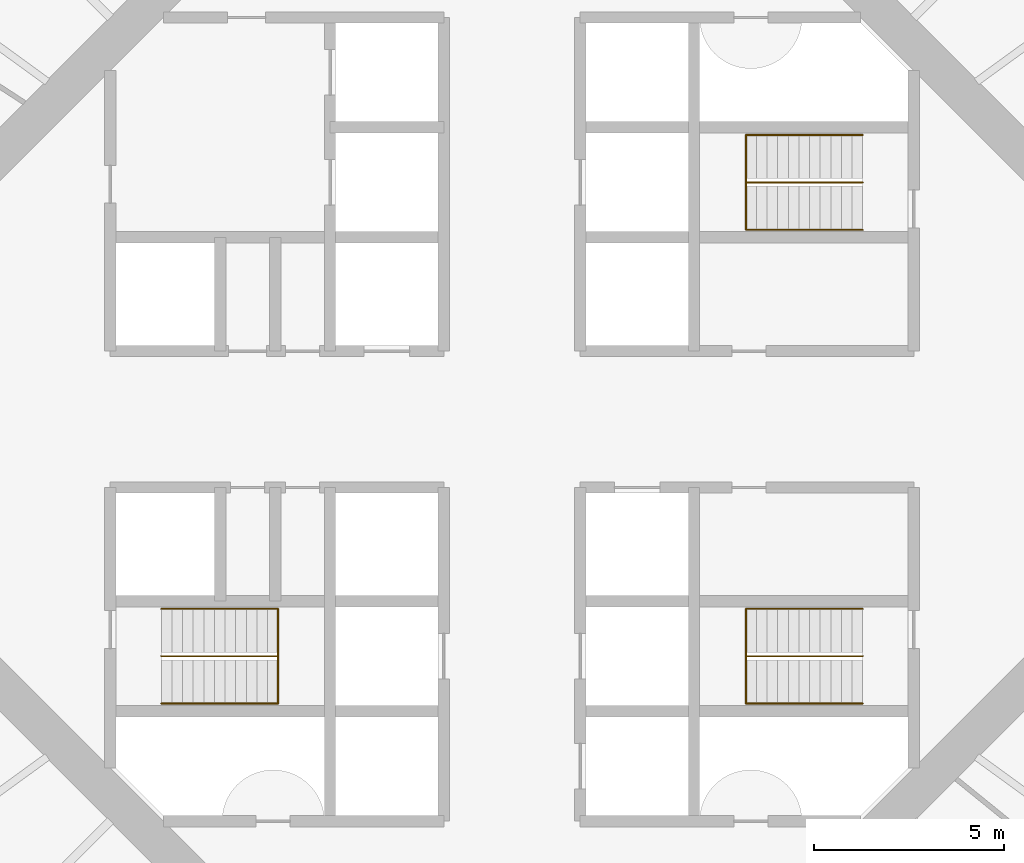
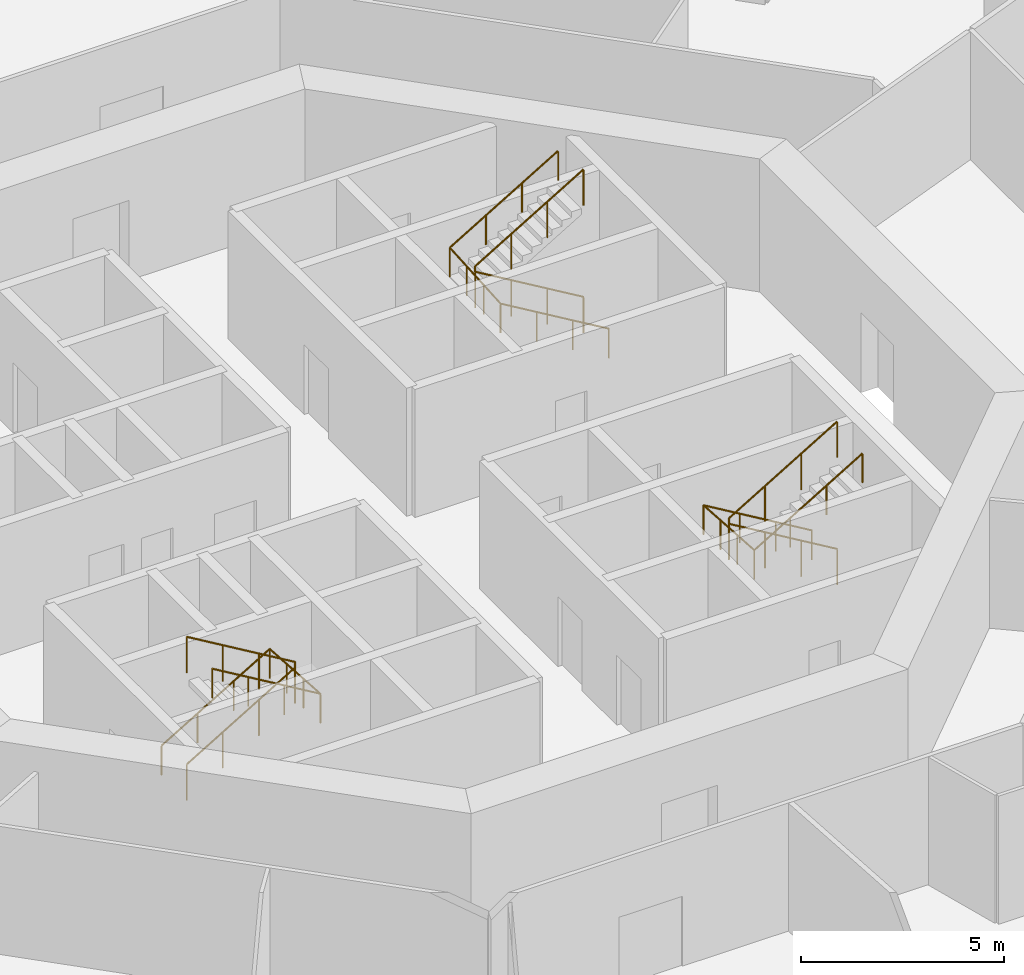
# One storey, part 13 of 13: 6 railings.
"""IFC4 building model written with IfcOpenShell, lengths in metres."""

from ifc_helpers import new_model, si_unit, direction, frame, origin, origin_2d, place, context, subcontext, project, spatial, circle, extrude, material, type_object, element, save


model = new_model("IFC4")

# Units and contexts
model_context = context("Model", 3, precision=1e-05, world=origin(), true_north=direction((0.0, 1.0)))
body_context = subcontext(model_context, "Body", "Model", "MODEL_VIEW")
ifc_project = project(units=[si_unit("LENGTHUNIT", "METRE"), si_unit("AREAUNIT", "SQUARE_METRE"), si_unit("VOLUMEUNIT", "CUBIC_METRE"), si_unit("PLANEANGLEUNIT", "RADIAN"), si_unit("MASSUNIT", "GRAM", prefix="KILO")], contexts=[model_context])

# Site, building, storey
site_placement = place(None, origin())
site = spatial("IfcSite", under=ifc_project, at=site_placement, CompositionType="ELEMENT")
building_placement = place(site_placement, origin())
building = spatial("IfcBuilding", under=site, at=building_placement, Name="Entoto Ring Tower", CompositionType="ELEMENT")
storey_placement = place(building_placement, frame((0.0, 0.0, 188.0)))
storey = spatial("IfcBuildingStorey", under=building, at=storey_placement, Name="L43", CompositionType="ELEMENT", Elevation=188.0)

# Railings
ifc_material_1 = material(Name="Steel S275", Category="steel")
railing_type_1 = type_object("IfcRailingType", Name="Stair guard 1100 mm steel", PredefinedType="GUARDRAIL", material=ifc_material_1)
railing_1_placement = place(storey_placement, frame((99.25, 86.25, 0.166748046875)))
element("IfcRailing", 1, at=railing_1_placement, inside=storey, type_object=railing_type_1, Name="Guard ST1", PredefinedType="GUARDRAIL", context=body_context, shape_type="SweptSolid", body=[
    extrude(circle(Radius=0.02392578125, at=origin_2d()), frame((0.0, 0.0, 1.076171875), z_axis=(-0.859308565015, 0.0, 0.511457515432), x_axis=(0.0, -1.0, 0.0)), (0.0, 0.0, 1.0), 3.58447265625),
    extrude(circle(Radius=0.02392578125, at=origin_2d()), frame((-3.080078125, 0.0, 2.9091796875), z_axis=(0.0, 0.0, 1.0), x_axis=(1.0, 0.0, 0.0)), (0.0, 0.0, 1.0), 0.166748046875),
    extrude(circle(Radius=0.02392578125, at=origin_2d()), frame((-3.080078125, 0.0, 3.076171875), z_axis=(0.859308565015, 0.0, 0.511457515432), x_axis=(0.0, 1.0, 0.0)), (0.0, 0.0, 1.0), 3.58447265625),
    extrude(circle(Radius=0.02099609375, at=origin_2d()), origin(), (0.0, 0.0, 1.0), 1.052001953125),
    extrude(circle(Radius=0.02099609375, at=origin_2d()), frame((-1.026611328125, 0.0, 0.611083984375)), (0.0, 0.0, 1.0), 1.052001953125),
    extrude(circle(Radius=0.02099609375, at=origin_2d()), frame((-2.053466796875, 0.0, 1.22216796875)), (0.0, 0.0, 1.0), 1.052001953125),
    extrude(circle(Radius=0.02099609375, at=origin_2d()), frame((-3.080078125, 0.0, 1.833251953125)), (0.0, 0.0, 1.0), 1.052001953125),
    extrude(circle(Radius=0.02099609375, at=origin_2d()), frame((-3.080078125, 0.0, 2.0)), (0.0, 0.0, 1.0), 1.052001953125),
    extrude(circle(Radius=0.02099609375, at=origin_2d()), frame((-2.053466796875, 0.0, 2.611083984375)), (0.0, 0.0, 1.0), 1.052001953125),
    extrude(circle(Radius=0.02099609375, at=origin_2d()), frame((-1.026611328125, 0.0, 3.22216796875)), (0.0, 0.0, 1.0), 1.052001953125),
    extrude(circle(Radius=0.02099609375, at=origin_2d()), frame((0.0, 0.0, 3.833251953125)), (0.0, 0.0, 1.0), 1.052001953125),
])
railing_2_placement = place(storey_placement, frame((80.75, 73.75, 0.166748046875)))
element("IfcRailing", 2, at=railing_2_placement, inside=storey, type_object=railing_type_1, Name="Guard ST2", PredefinedType="GUARDRAIL", context=body_context, shape_type="SweptSolid", body=[
    extrude(circle(Radius=0.02392578125, at=origin_2d()), frame((0.0, 0.0, 1.076171875), z_axis=(0.859308565015, 0.0, 0.511457515432), x_axis=(0.0, 1.0, 0.0)), (0.0, 0.0, 1.0), 3.58447265625),
    extrude(circle(Radius=0.02392578125, at=origin_2d()), frame((3.080078125, 0.0, 2.9091796875), z_axis=(0.0, 0.0, 1.0), x_axis=(1.0, 0.0, 0.0)), (0.0, 0.0, 1.0), 0.166748046875),
    extrude(circle(Radius=0.02392578125, at=origin_2d()), frame((3.080078125, 0.0, 3.076171875), z_axis=(-0.859308565015, 0.0, 0.511457515432), x_axis=(0.0, -1.0, 0.0)), (0.0, 0.0, 1.0), 3.58447265625),
    extrude(circle(Radius=0.02099609375, at=origin_2d()), origin(), (0.0, 0.0, 1.0), 1.052001953125),
    extrude(circle(Radius=0.02099609375, at=origin_2d()), frame((1.026611328125, 0.0, 0.611083984375)), (0.0, 0.0, 1.0), 1.052001953125),
    extrude(circle(Radius=0.02099609375, at=origin_2d()), frame((2.053466796875, 0.0, 1.22216796875)), (0.0, 0.0, 1.0), 1.052001953125),
    extrude(circle(Radius=0.02099609375, at=origin_2d()), frame((3.080078125, 0.0, 1.833251953125)), (0.0, 0.0, 1.0), 1.052001953125),
    extrude(circle(Radius=0.02099609375, at=origin_2d()), frame((3.080078125, 0.0, 2.0)), (0.0, 0.0, 1.0), 1.052001953125),
    extrude(circle(Radius=0.02099609375, at=origin_2d()), frame((2.053466796875, 0.0, 2.611083984375)), (0.0, 0.0, 1.0), 1.052001953125),
    extrude(circle(Radius=0.02099609375, at=origin_2d()), frame((1.026611328125, 0.0, 3.22216796875)), (0.0, 0.0, 1.0), 1.052001953125),
    extrude(circle(Radius=0.02099609375, at=origin_2d()), frame((0.0, 0.0, 3.833251953125)), (0.0, 0.0, 1.0), 1.052001953125),
])
railing_3_placement = place(storey_placement, frame((99.25, 73.75, 0.166748046875)))
element("IfcRailing", 3, at=railing_3_placement, inside=storey, type_object=railing_type_1, Name="Guard ST3", PredefinedType="GUARDRAIL", context=body_context, shape_type="SweptSolid", body=[
    extrude(circle(Radius=0.02392578125, at=origin_2d()), frame((0.0, 0.0, 1.076171875), z_axis=(-0.859308565015, 0.0, 0.511457515432), x_axis=(0.0, -1.0, 0.0)), (0.0, 0.0, 1.0), 3.58447265625),
    extrude(circle(Radius=0.02392578125, at=origin_2d()), frame((-3.080078125, 0.0, 2.9091796875), z_axis=(0.0, 0.0, 1.0), x_axis=(1.0, 0.0, 0.0)), (0.0, 0.0, 1.0), 0.166748046875),
    extrude(circle(Radius=0.02392578125, at=origin_2d()), frame((-3.080078125, 0.0, 3.076171875), z_axis=(0.859308565015, 0.0, 0.511457515432), x_axis=(0.0, 1.0, 0.0)), (0.0, 0.0, 1.0), 3.58447265625),
    extrude(circle(Radius=0.02099609375, at=origin_2d()), origin(), (0.0, 0.0, 1.0), 1.052001953125),
    extrude(circle(Radius=0.02099609375, at=origin_2d()), frame((-1.026611328125, 0.0, 0.611083984375)), (0.0, 0.0, 1.0), 1.052001953125),
    extrude(circle(Radius=0.02099609375, at=origin_2d()), frame((-2.053466796875, 0.0, 1.22216796875)), (0.0, 0.0, 1.0), 1.052001953125),
    extrude(circle(Radius=0.02099609375, at=origin_2d()), frame((-3.080078125, 0.0, 1.833251953125)), (0.0, 0.0, 1.0), 1.052001953125),
    extrude(circle(Radius=0.02099609375, at=origin_2d()), frame((-3.080078125, 0.0, 2.0)), (0.0, 0.0, 1.0), 1.052001953125),
    extrude(circle(Radius=0.02099609375, at=origin_2d()), frame((-2.053466796875, 0.0, 2.611083984375)), (0.0, 0.0, 1.0), 1.052001953125),
    extrude(circle(Radius=0.02099609375, at=origin_2d()), frame((-1.026611328125, 0.0, 3.22216796875)), (0.0, 0.0, 1.0), 1.052001953125),
    extrude(circle(Radius=0.02099609375, at=origin_2d()), frame((0.0, 0.0, 3.833251953125)), (0.0, 0.0, 1.0), 1.052001953125),
])
ifc_material_2 = material(Name="Steel S275", Category="steel")
railing_type_2 = type_object("IfcRailingType", Name="Stair handrail 900 mm steel", PredefinedType="HANDRAIL", material=ifc_material_2)
railing_4_placement = place(storey_placement, frame((99.25, 85.0, 0.166748046875)))
element("IfcRailing", 4, at=railing_4_placement, inside=storey, type_object=railing_type_2, Name="Handrail ST1", PredefinedType="HANDRAIL", context=body_context, shape_type="SweptSolid", body=[
    extrude(circle(Radius=0.02392578125, at=origin_2d()), frame((0.0, 0.0, 0.8759765625), z_axis=(-0.859308565015, 0.0, 0.511457515432), x_axis=(0.0, -1.0, 0.0)), (0.0, 0.0, 1.0), 3.58447265625),
    extrude(circle(Radius=0.02392578125, at=origin_2d()), frame((-3.080078125, 0.0, 2.708984375), z_axis=(0.0, 0.997783001586, 0.066551346688), x_axis=(-1.0, 0.0, 0.0)), (0.0, 0.0, 1.0), 2.505615234375),
    extrude(circle(Radius=0.02392578125, at=origin_2d()), frame((-3.080078125, 2.5, 2.8759765625), z_axis=(0.859308565015, 0.0, 0.511457515432), x_axis=(0.0, 1.0, 0.0)), (0.0, 0.0, 1.0), 3.58447265625),
    extrude(circle(Radius=0.02099609375, at=origin_2d()), origin(), (0.0, 0.0, 1.0), 0.851806640625),
    extrude(circle(Radius=0.02099609375, at=origin_2d()), frame((-1.026611328125, 0.0, 0.611083984375)), (0.0, 0.0, 1.0), 0.851806640625),
    extrude(circle(Radius=0.02099609375, at=origin_2d()), frame((-2.053466796875, 0.0, 1.22216796875)), (0.0, 0.0, 1.0), 0.851806640625),
    extrude(circle(Radius=0.02099609375, at=origin_2d()), frame((-3.080078125, 0.0, 1.833251953125)), (0.0, 0.0, 1.0), 0.851806640625),
    extrude(circle(Radius=0.02099609375, at=origin_2d()), frame((-3.080078125, 0.833251953125, 1.888916015625)), (0.0, 0.0, 1.0), 0.851806640625),
    extrude(circle(Radius=0.02099609375, at=origin_2d()), frame((-3.080078125, 1.666748046875, 1.9443359375)), (0.0, 0.0, 1.0), 0.851806640625),
    extrude(circle(Radius=0.02099609375, at=origin_2d()), frame((-3.080078125, 2.5, 2.0)), (0.0, 0.0, 1.0), 0.851806640625),
    extrude(circle(Radius=0.02099609375, at=origin_2d()), frame((-2.053466796875, 2.5, 2.611083984375)), (0.0, 0.0, 1.0), 0.851806640625),
    extrude(circle(Radius=0.02099609375, at=origin_2d()), frame((-1.026611328125, 2.5, 3.22216796875)), (0.0, 0.0, 1.0), 0.851806640625),
    extrude(circle(Radius=0.02099609375, at=origin_2d()), frame((0.0, 2.5, 3.833251953125)), (0.0, 0.0, 1.0), 0.851806640625),
])
railing_5_placement = place(storey_placement, frame((80.75, 75.0, 0.166748046875)))
element("IfcRailing", 5, at=railing_5_placement, inside=storey, type_object=railing_type_2, Name="Handrail ST2", PredefinedType="HANDRAIL", context=body_context, shape_type="SweptSolid", body=[
    extrude(circle(Radius=0.02392578125, at=origin_2d()), frame((0.0, 0.0, 0.8759765625), z_axis=(0.859308565015, 0.0, 0.511457515432), x_axis=(0.0, 1.0, 0.0)), (0.0, 0.0, 1.0), 3.58447265625),
    extrude(circle(Radius=0.02392578125, at=origin_2d()), frame((3.080078125, 0.0, 2.708984375), z_axis=(0.0, -0.997783001586, 0.066551346688), x_axis=(1.0, 0.0, 0.0)), (0.0, 0.0, 1.0), 2.505615234375),
    extrude(circle(Radius=0.02392578125, at=origin_2d()), frame((3.080078125, -2.5, 2.8759765625), z_axis=(-0.859308565015, 0.0, 0.511457515432), x_axis=(0.0, -1.0, 0.0)), (0.0, 0.0, 1.0), 3.58447265625),
    extrude(circle(Radius=0.02099609375, at=origin_2d()), origin(), (0.0, 0.0, 1.0), 0.851806640625),
    extrude(circle(Radius=0.02099609375, at=origin_2d()), frame((1.026611328125, 0.0, 0.611083984375)), (0.0, 0.0, 1.0), 0.851806640625),
    extrude(circle(Radius=0.02099609375, at=origin_2d()), frame((2.053466796875, 0.0, 1.22216796875)), (0.0, 0.0, 1.0), 0.851806640625),
    extrude(circle(Radius=0.02099609375, at=origin_2d()), frame((3.080078125, 0.0, 1.833251953125)), (0.0, 0.0, 1.0), 0.851806640625),
    extrude(circle(Radius=0.02099609375, at=origin_2d()), frame((3.080078125, -0.833251953125, 1.888916015625)), (0.0, 0.0, 1.0), 0.851806640625),
    extrude(circle(Radius=0.02099609375, at=origin_2d()), frame((3.080078125, -1.666748046875, 1.9443359375)), (0.0, 0.0, 1.0), 0.851806640625),
    extrude(circle(Radius=0.02099609375, at=origin_2d()), frame((3.080078125, -2.5, 2.0)), (0.0, 0.0, 1.0), 0.851806640625),
    extrude(circle(Radius=0.02099609375, at=origin_2d()), frame((2.053466796875, -2.5, 2.611083984375)), (0.0, 0.0, 1.0), 0.851806640625),
    extrude(circle(Radius=0.02099609375, at=origin_2d()), frame((1.026611328125, -2.5, 3.22216796875)), (0.0, 0.0, 1.0), 0.851806640625),
    extrude(circle(Radius=0.02099609375, at=origin_2d()), frame((0.0, -2.5, 3.833251953125)), (0.0, 0.0, 1.0), 0.851806640625),
])
railing_6_placement = place(storey_placement, frame((99.25, 75.0, 0.166748046875)))
element("IfcRailing", 6, at=railing_6_placement, inside=storey, type_object=railing_type_2, Name="Handrail ST3", PredefinedType="HANDRAIL", context=body_context, shape_type="SweptSolid", body=[
    extrude(circle(Radius=0.02392578125, at=origin_2d()), frame((0.0, 0.0, 0.8759765625), z_axis=(-0.859308565015, 0.0, 0.511457515432), x_axis=(0.0, -1.0, 0.0)), (0.0, 0.0, 1.0), 3.58447265625),
    extrude(circle(Radius=0.02392578125, at=origin_2d()), frame((-3.080078125, 0.0, 2.708984375), z_axis=(0.0, -0.997783001586, 0.066551346688), x_axis=(1.0, 0.0, 0.0)), (0.0, 0.0, 1.0), 2.505615234375),
    extrude(circle(Radius=0.02392578125, at=origin_2d()), frame((-3.080078125, -2.5, 2.8759765625), z_axis=(0.859308565015, 0.0, 0.511457515432), x_axis=(0.0, 1.0, 0.0)), (0.0, 0.0, 1.0), 3.58447265625),
    extrude(circle(Radius=0.02099609375, at=origin_2d()), origin(), (0.0, 0.0, 1.0), 0.851806640625),
    extrude(circle(Radius=0.02099609375, at=origin_2d()), frame((-1.026611328125, 0.0, 0.611083984375)), (0.0, 0.0, 1.0), 0.851806640625),
    extrude(circle(Radius=0.02099609375, at=origin_2d()), frame((-2.053466796875, 0.0, 1.22216796875)), (0.0, 0.0, 1.0), 0.851806640625),
    extrude(circle(Radius=0.02099609375, at=origin_2d()), frame((-3.080078125, 0.0, 1.833251953125)), (0.0, 0.0, 1.0), 0.851806640625),
    extrude(circle(Radius=0.02099609375, at=origin_2d()), frame((-3.080078125, -0.833251953125, 1.888916015625)), (0.0, 0.0, 1.0), 0.851806640625),
    extrude(circle(Radius=0.02099609375, at=origin_2d()), frame((-3.080078125, -1.666748046875, 1.9443359375)), (0.0, 0.0, 1.0), 0.851806640625),
    extrude(circle(Radius=0.02099609375, at=origin_2d()), frame((-3.080078125, -2.5, 2.0)), (0.0, 0.0, 1.0), 0.851806640625),
    extrude(circle(Radius=0.02099609375, at=origin_2d()), frame((-2.053466796875, -2.5, 2.611083984375)), (0.0, 0.0, 1.0), 0.851806640625),
    extrude(circle(Radius=0.02099609375, at=origin_2d()), frame((-1.026611328125, -2.5, 3.22216796875)), (0.0, 0.0, 1.0), 0.851806640625),
    extrude(circle(Radius=0.02099609375, at=origin_2d()), frame((0.0, -2.5, 3.833251953125)), (0.0, 0.0, 1.0), 0.851806640625),
])

save(model, "model.ifc")
